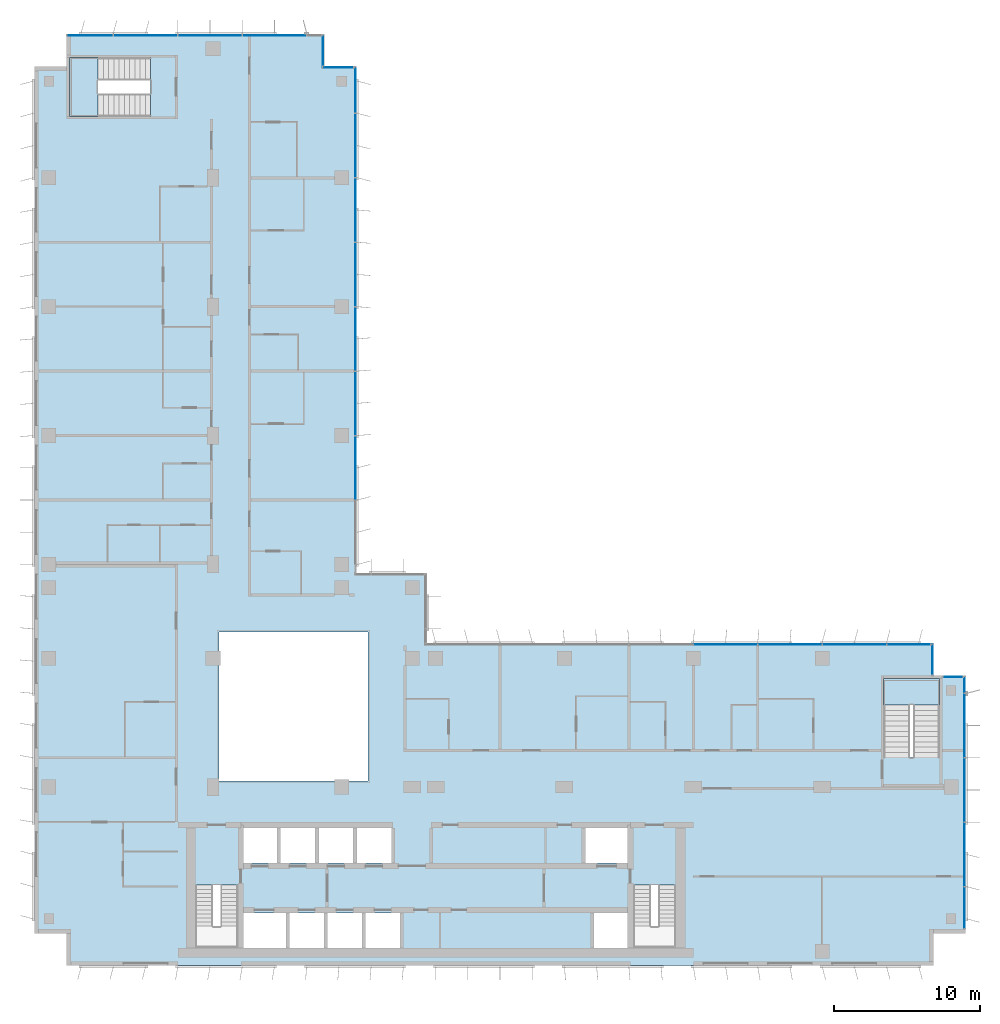
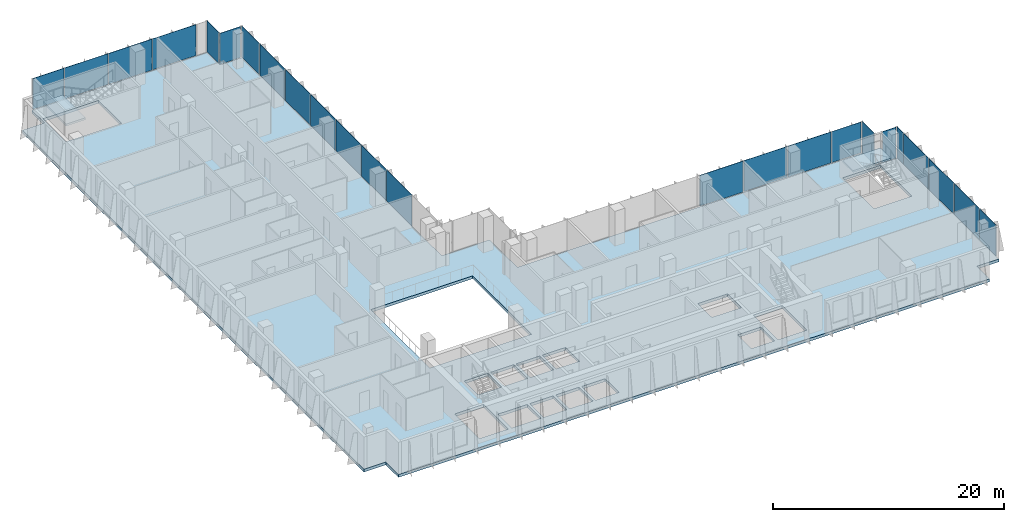
# One storey, part 11 of 21: 24 plates, 3 slabs, 10 elements without a shape of their own.
"""IFC4 building model written with IfcOpenShell, lengths in metres."""

from ifc_helpers import new_model, si_unit, direction, frame, origin, origin_2d, place, context, subcontext, project, spatial, polyline, rectangle, outline, extrude, source, transform, mapped, material, layer, layer_set, type_object, element, aggregate, save


model = new_model("IFC4")

# Units and contexts
model_context = context("Model", 3, precision=1e-05, world=origin(), true_north=direction((0.0, 1.0)))
body_context = subcontext(model_context, "Body", "Model", "MODEL_VIEW")
ifc_project = project(units=[si_unit("LENGTHUNIT", "METRE"), si_unit("AREAUNIT", "SQUARE_METRE"), si_unit("VOLUMEUNIT", "CUBIC_METRE"), si_unit("PLANEANGLEUNIT", "RADIAN"), si_unit("MASSUNIT", "GRAM", prefix="KILO")], contexts=[model_context])

# Site, building, storey
site_placement = place(None, origin())
site = spatial("IfcSite", under=ifc_project, at=site_placement, CompositionType="ELEMENT")
building_placement = place(site_placement, origin())
building = spatial("IfcBuilding", under=site, at=building_placement, Name="Kemantara Hotel Tower", CompositionType="ELEMENT")
storey_placement = place(building_placement, frame((0.0, 0.0, 179.0)))
storey = spatial("IfcBuildingStorey", under=building, at=storey_placement, Name="L44", CompositionType="ELEMENT", Elevation=179.0)

# Slab
ifc_material_1 = material(Name="Concrete fc 40 MPa", Category="concrete")
ifc_layer_1 = layer(ifc_material_1, 0.300048828125)
ifc_layer_set_1 = layer_set([ifc_layer_1], Name="Concrete fc 40 MPa")
slab_type_1 = type_object("IfcSlabType", Name="POST-TENSIONED FLAT PLATE 300", PredefinedType="FLOOR", material=ifc_layer_set_1)
slab_1_placement = place(storey_placement, frame((0.0, 0.0, -0.300048828125)))
element("IfcSlab", 1, at=slab_1_placement, inside=storey, type_object=slab_type_1, Name="FLOOR SLAB L44", PredefinedType="FLOOR", context=body_context, shape_type="SweptSolid", body=[
    extrude(outline(polyline([(22.0, 26.800048828125), (22.0, 61.39990234375), (19.800048828125, 61.39990234375), (19.800048828125, 63.60009765625), (2.199951171875, 63.60009765625), (2.199951171875, 61.39990234375), (0.0, 61.39990234375), (0.0, 2.199951171875), (2.199951171875, 2.199951171875), (2.199951171875, 0.0), (61.39990234375, 0.0), (61.39990234375, 2.199951171875), (63.60009765625, 2.199951171875), (63.60009765625, 19.800048828125), (61.39990234375, 19.800048828125), (61.39990234375, 22.0), (26.800048828125, 22.0), (26.800048828125, 26.800048828125), (22.0, 26.800048828125)]), holes=[polyline([(17.175048828125, 3.60009765625), (17.175048828125, 1.199951171875), (14.22509765625, 1.199951171875), (14.22509765625, 3.60009765625), (17.175048828125, 3.60009765625)]), polyline([(19.77490234375, 1.199951171875), (17.425048828125, 1.199951171875), (17.425048828125, 3.60009765625), (19.77490234375, 3.60009765625), (19.77490234375, 1.199951171875)]), polyline([(11.0, 1.199951171875), (11.0, 5.49951171875), (13.89990234375, 5.49951171875), (13.89990234375, 1.199951171875), (11.0, 1.199951171875)]), polyline([(16.574951171875, 7.0), (14.22509765625, 7.0), (14.22509765625, 9.39990234375), (16.574951171875, 9.39990234375), (16.574951171875, 7.0)]), polyline([(19.175048828125, 7.0), (16.824951171875, 7.0), (16.824951171875, 9.39990234375), (19.175048828125, 9.39990234375), (19.175048828125, 7.0)]), polyline([(21.77490234375, 7.0), (19.425048828125, 7.0), (19.425048828125, 9.39990234375), (21.77490234375, 9.39990234375), (21.77490234375, 7.0)]), polyline([(22.800048828125, 12.60009765625), (12.60009765625, 12.60009765625), (12.60009765625, 22.800048828125), (22.800048828125, 22.800048828125), (22.800048828125, 12.60009765625)]), polyline([(2.39990234375, 62.0), (7.949462890625, 62.0), (7.949462890625, 58.0), (2.39990234375, 58.0), (2.39990234375, 62.0)]), polyline([(22.375, 1.199951171875), (20.02490234375, 1.199951171875), (20.02490234375, 3.60009765625), (22.375, 3.60009765625), (22.375, 1.199951171875)]), polyline([(24.97509765625, 1.199951171875), (22.625, 1.199951171875), (22.625, 3.60009765625), (24.97509765625, 3.60009765625), (24.97509765625, 1.199951171875)]), polyline([(40.574951171875, 1.199951171875), (38.22509765625, 1.199951171875), (38.22509765625, 3.60009765625), (40.574951171875, 3.60009765625), (40.574951171875, 1.199951171875)]), polyline([(40.89990234375, 1.199951171875), (40.89990234375, 5.49951171875), (43.800048828125, 5.49951171875), (43.800048828125, 1.199951171875), (40.89990234375, 1.199951171875)]), polyline([(24.375, 7.0), (22.02490234375, 7.0), (22.02490234375, 9.39990234375), (24.375, 9.39990234375), (24.375, 7.0)]), polyline([(40.574951171875, 7.0), (37.625, 7.0), (37.625, 9.39990234375), (40.574951171875, 9.39990234375), (40.574951171875, 7.0)]), polyline([(61.800048828125, 19.60009765625), (61.800048828125, 14.20068359375), (58.0, 14.20068359375), (58.0, 19.60009765625), (61.800048828125, 19.60009765625)])]), origin(), (0.0, 0.0, 1.0), 0.300048828125),
])

# Stair, slab
stair_type_1 = type_object("IfcStairType", Name="Stair 1800 wide 22 risers of 168 x 360 mm", PredefinedType="HALF_TURN_STAIR", material=ifc_material_1)
stair_1_placement = place(storey_placement, origin())
stair_1 = element("IfcStair", 2, at=stair_1_placement, inside=storey, type_object=stair_type_1, Name="L44 Exit stair ST3", PredefinedType="HALF_TURN_STAIR")
ifc_layer_2 = layer(ifc_material_1, 0.199951171875)
ifc_layer_set_2 = layer_set([ifc_layer_2], Name="Concrete fc 40 MPa")
slab_type_2 = type_object("IfcSlabType", Name="Stair landing 200 mm", PredefinedType="LANDING", material=ifc_layer_set_2)
slab_2_placement = place(storey_placement, frame((0.0, 0.0, 1.64990234375)))
slab_2 = element("IfcSlab", 3, at=slab_2_placement, type_object=slab_type_2, Name="ST3 landing 1", PredefinedType="LANDING", context=body_context, shape_type="SweptSolid", body=[
    extrude(outline(polyline([(61.800048828125, 17.800048828125), (61.800048828125, 19.60009765625), (58.0, 19.60009765625), (58.0, 17.800048828125), (61.800048828125, 17.800048828125)])), origin(), (0.0, 0.0, 1.0), 0.2001953125),
])
aggregate(stair_1, [slab_2])

stair_type_2 = type_object("IfcStairType", Name="Stair 1550 wide 22 risers of 168 x 360 mm", PredefinedType="HALF_TURN_STAIR", material=ifc_material_1)
stair_2_placement = place(storey_placement, origin())
stair_2 = element("IfcStair", 4, at=stair_2_placement, inside=storey, type_object=stair_type_2, Name="L44 Exit stair ST4", PredefinedType="HALF_TURN_STAIR")
slab_3_placement = place(storey_placement, frame((0.0, 0.0, 1.64990234375)))
slab_3 = element("IfcSlab", 5, at=slab_3_placement, type_object=slab_type_2, Name="ST4 landing 1", PredefinedType="LANDING", context=body_context, shape_type="SweptSolid", body=[
    extrude(outline(polyline([(4.35009765625, 62.0), (2.39990234375, 62.0), (2.39990234375, 58.0), (4.35009765625, 58.0), (4.35009765625, 62.0)])), origin(), (0.0, 0.0, 1.0), 0.2001953125),
])
aggregate(stair_2, [slab_3])

# Curtain wall, plate
ifc_material_2 = material(Name="Low-E tinted double insulated glass 36 mm", Category="glass")
curtain_wall_type = type_object("IfcCurtainWallType", Name="TOWER CURTAIN WALL, FRONT FACES", PredefinedType="USERDEFINED", material=ifc_material_2)
curtain_wall_1_placement = place(storey_placement, origin())
curtain_wall_1 = element("IfcCurtainWall", 6, at=curtain_wall_1_placement, inside=storey, type_object=curtain_wall_type, Name="CW4 L44 T3-R11-1", ObjectType="TOWER CURTAIN WALL, FRONT FACES", PredefinedType="USERDEFINED")
ifc_layer_3 = layer(ifc_material_2, 0.035888671875)
ifc_layer_set_3 = layer_set([ifc_layer_3], Name="Low-E tinted double insulated glass 36 mm")
plate_type = type_object("IfcPlateType", Name="TOWER CURTAIN WALL, FRONT FACES PANEL", PredefinedType="CURTAIN_PANEL", material=ifc_layer_set_3)
shared_shape_1 = source(origin(), body_context, "Body", "SweptSolid", [
    extrude(rectangle(XDim=2.81005859375, YDim=0.035888671875, at=origin_2d()), origin(), (0.0, 0.0, 1.0), 3.280029296875),
])
plate_1_placement = place(storey_placement, frame((63.52490234375, 3.965087890625, 0.1201171875), z_axis=(0.0, 0.0, 1.0), x_axis=(0.0, 1.0, 0.0)))
plate_1 = element("IfcPlate", 7, at=plate_1_placement, type_object=plate_type, Name="CW4 glass panel T3-R11-1.1", PredefinedType="CURTAIN_PANEL", context=body_context, shape_type="MappedRepresentation", body=[
    mapped(shared_shape_1, transform((0.0, 0.0, 0.0))),
])

# Curtain wall, plates
curtain_wall_2_placement = place(storey_placement, origin())
curtain_wall_2 = element("IfcCurtainWall", 8, at=curtain_wall_2_placement, inside=storey, type_object=curtain_wall_type, Name="CW4 L44 T3-R02-1", ObjectType="TOWER CURTAIN WALL, FRONT FACES", PredefinedType="USERDEFINED")
shared_shape_2 = source(origin(), body_context, "Body", "SweptSolid", [
    extrude(rectangle(XDim=4.340087890625, YDim=0.035888671875, at=origin_2d()), origin(), (0.0, 0.0, 1.0), 3.280029296875),
])
plate_2_placement = place(storey_placement, frame((16.39990234375, 63.52490234375, 0.1201171875), z_axis=(0.0, 0.0, 1.0), x_axis=(-1.0, 0.0, 0.0)))
plate_2 = element("IfcPlate", 9, at=plate_2_placement, type_object=plate_type, Name="CW4 glass panel T3-R02-1.2", PredefinedType="CURTAIN_PANEL", context=body_context, shape_type="MappedRepresentation", body=[
    mapped(shared_shape_2, transform((0.0, 0.0, 0.0))),
])
plate_3_placement = place(storey_placement, frame((12.0, 63.52490234375, 0.1201171875), z_axis=(0.0, 0.0, 1.0), x_axis=(-1.0, 0.0, 0.0)))
plate_3 = element("IfcPlate", 10, at=plate_3_placement, type_object=plate_type, Name="CW4 glass panel T3-R02-1.3", PredefinedType="CURTAIN_PANEL", context=body_context, shape_type="MappedRepresentation", body=[
    mapped(shared_shape_2, transform((0.0, 0.0, 0.0))),
])
plate_4_placement = place(storey_placement, frame((7.60009765625, 63.52490234375, 0.1201171875), z_axis=(0.0, 0.0, 1.0), x_axis=(-1.0, 0.0, 0.0)))
plate_4 = element("IfcPlate", 11, at=plate_4_placement, type_object=plate_type, Name="CW4 glass panel T3-R02-1.4", PredefinedType="CURTAIN_PANEL", context=body_context, shape_type="MappedRepresentation", body=[
    mapped(shared_shape_2, transform((0.0, 0.0, 0.0))),
])

# Plate
plate_5_placement = place(storey_placement, frame((63.52490234375, 7.60009765625, 0.1201171875), z_axis=(0.0, 0.0, 1.0), x_axis=(0.0, 1.0, 0.0)))
plate_5 = element("IfcPlate", 12, at=plate_5_placement, type_object=plate_type, Name="CW4 glass panel T3-R11-1.2", PredefinedType="CURTAIN_PANEL", context=body_context, shape_type="MappedRepresentation", body=[
    mapped(shared_shape_2, transform((0.0, 0.0, 0.0))),
])

plate_6_placement = place(storey_placement, frame((63.52490234375, 12.0, 0.1201171875), z_axis=(0.0, 0.0, 1.0), x_axis=(0.0, 1.0, 0.0)))
plate_6 = element("IfcPlate", 13, at=plate_6_placement, type_object=plate_type, Name="CW4 glass panel T3-R11-1.3", PredefinedType="CURTAIN_PANEL", context=body_context, shape_type="MappedRepresentation", body=[
    mapped(shared_shape_2, transform((0.0, 0.0, 0.0))),
])

plate_7_placement = place(storey_placement, frame((63.52490234375, 16.39990234375, 0.1201171875), z_axis=(0.0, 0.0, 1.0), x_axis=(0.0, 1.0, 0.0)))
plate_7 = element("IfcPlate", 14, at=plate_7_placement, type_object=plate_type, Name="CW4 glass panel T3-R11-1.4", PredefinedType="CURTAIN_PANEL", context=body_context, shape_type="MappedRepresentation", body=[
    mapped(shared_shape_2, transform((0.0, 0.0, 0.0))),
])

# Curtain wall, plates
curtain_wall_3_placement = place(storey_placement, origin())
curtain_wall_3 = element("IfcCurtainWall", 15, at=curtain_wall_3_placement, inside=storey, type_object=curtain_wall_type, Name="CW4 L44 T3-R14-1", ObjectType="TOWER CURTAIN WALL, FRONT FACES", PredefinedType="USERDEFINED")
plate_8_placement = place(storey_placement, frame((56.0, 21.925048828125, 0.1201171875), z_axis=(0.0, 0.0, 1.0), x_axis=(-1.0, 0.0, 0.0)))
plate_8 = element("IfcPlate", 16, at=plate_8_placement, type_object=plate_type, Name="CW4 glass panel T3-R14-1.2", PredefinedType="CURTAIN_PANEL", context=body_context, shape_type="MappedRepresentation", body=[
    mapped(shared_shape_2, transform((0.0, 0.0, 0.0))),
])
plate_9_placement = place(storey_placement, frame((51.60009765625, 21.925048828125, 0.1201171875), z_axis=(0.0, 0.0, 1.0), x_axis=(-1.0, 0.0, 0.0)))
plate_9 = element("IfcPlate", 17, at=plate_9_placement, type_object=plate_type, Name="CW4 glass panel T3-R14-1.3", PredefinedType="CURTAIN_PANEL", context=body_context, shape_type="MappedRepresentation", body=[
    mapped(shared_shape_2, transform((0.0, 0.0, 0.0))),
])
plate_10_placement = place(storey_placement, frame((47.199951171875, 21.925048828125, 0.1201171875), z_axis=(0.0, 0.0, 1.0), x_axis=(-1.0, 0.0, 0.0)))
plate_10 = element("IfcPlate", 18, at=plate_10_placement, type_object=plate_type, Name="CW4 glass panel T3-R14-1.4", PredefinedType="CURTAIN_PANEL", context=body_context, shape_type="MappedRepresentation", body=[
    mapped(shared_shape_2, transform((0.0, 0.0, 0.0))),
])

curtain_wall_4_placement = place(storey_placement, origin())
curtain_wall_4 = element("IfcCurtainWall", 19, at=curtain_wall_4_placement, inside=storey, type_object=curtain_wall_type, Name="CW4 L44 T3-R17-1", ObjectType="TOWER CURTAIN WALL, FRONT FACES", PredefinedType="USERDEFINED")
plate_11_placement = place(storey_placement, frame((21.925048828125, 34.0, 0.1201171875), z_axis=(0.0, 0.0, 1.0), x_axis=(0.0, 1.0, 0.0)))
plate_11 = element("IfcPlate", 20, at=plate_11_placement, type_object=plate_type, Name="CW4 glass panel T3-R17-1.3", PredefinedType="CURTAIN_PANEL", context=body_context, shape_type="MappedRepresentation", body=[
    mapped(shared_shape_2, transform((0.0, 0.0, 0.0))),
])
plate_12_placement = place(storey_placement, frame((21.925048828125, 38.39990234375, 0.1201171875), z_axis=(0.0, 0.0, 1.0), x_axis=(0.0, 1.0, 0.0)))
plate_12 = element("IfcPlate", 21, at=plate_12_placement, type_object=plate_type, Name="CW4 glass panel T3-R17-1.4", PredefinedType="CURTAIN_PANEL", context=body_context, shape_type="MappedRepresentation", body=[
    mapped(shared_shape_2, transform((0.0, 0.0, 0.0))),
])
plate_13_placement = place(storey_placement, frame((21.925048828125, 42.800048828125, 0.1201171875), z_axis=(0.0, 0.0, 1.0), x_axis=(0.0, 1.0, 0.0)))
plate_13 = element("IfcPlate", 22, at=plate_13_placement, type_object=plate_type, Name="CW4 glass panel T3-R17-1.5", PredefinedType="CURTAIN_PANEL", context=body_context, shape_type="MappedRepresentation", body=[
    mapped(shared_shape_2, transform((0.0, 0.0, 0.0))),
])
plate_14_placement = place(storey_placement, frame((21.925048828125, 47.199951171875, 0.1201171875), z_axis=(0.0, 0.0, 1.0), x_axis=(0.0, 1.0, 0.0)))
plate_14 = element("IfcPlate", 23, at=plate_14_placement, type_object=plate_type, Name="CW4 glass panel T3-R17-1.6", PredefinedType="CURTAIN_PANEL", context=body_context, shape_type="MappedRepresentation", body=[
    mapped(shared_shape_2, transform((0.0, 0.0, 0.0))),
])
plate_15_placement = place(storey_placement, frame((21.925048828125, 51.60009765625, 0.1201171875), z_axis=(0.0, 0.0, 1.0), x_axis=(0.0, 1.0, 0.0)))
plate_15 = element("IfcPlate", 24, at=plate_15_placement, type_object=plate_type, Name="CW4 glass panel T3-R17-1.7", PredefinedType="CURTAIN_PANEL", context=body_context, shape_type="MappedRepresentation", body=[
    mapped(shared_shape_2, transform((0.0, 0.0, 0.0))),
])
plate_16_placement = place(storey_placement, frame((21.925048828125, 56.0, 0.1201171875), z_axis=(0.0, 0.0, 1.0), x_axis=(0.0, 1.0, 0.0)))
plate_16 = element("IfcPlate", 25, at=plate_16_placement, type_object=plate_type, Name="CW4 glass panel T3-R17-1.8", PredefinedType="CURTAIN_PANEL", context=body_context, shape_type="MappedRepresentation", body=[
    mapped(shared_shape_2, transform((0.0, 0.0, 0.0))),
])

# Plate
shared_shape_3 = source(origin(), body_context, "Body", "SweptSolid", [
    extrude(rectangle(XDim=3.110107421875, YDim=0.035888671875, at=origin_2d()), origin(), (0.0, 0.0, 1.0), 3.280029296875),
])
plate_17_placement = place(storey_placement, frame((3.81494140625, 63.52490234375, 0.1201171875), z_axis=(0.0, 0.0, 1.0), x_axis=(-1.0, 0.0, 0.0)))
plate_17 = element("IfcPlate", 26, at=plate_17_placement, type_object=plate_type, Name="CW4 glass panel T3-R02-1.5", PredefinedType="CURTAIN_PANEL", context=body_context, shape_type="MappedRepresentation", body=[
    mapped(shared_shape_3, transform((0.0, 0.0, 0.0))),
])

aggregate(curtain_wall_2, [plate_2, plate_3, plate_4, plate_17])

plate_18_placement = place(storey_placement, frame((21.925048828125, 59.784912109375, 0.1201171875), z_axis=(0.0, 0.0, 1.0), x_axis=(0.0, 1.0, 0.0)))
plate_18 = element("IfcPlate", 27, at=plate_18_placement, type_object=plate_type, Name="CW4 glass panel T3-R17-1.9", PredefinedType="CURTAIN_PANEL", context=body_context, shape_type="MappedRepresentation", body=[
    mapped(shared_shape_3, transform((0.0, 0.0, 0.0))),
])

aggregate(curtain_wall_4, [plate_11, plate_12, plate_13, plate_14, plate_15, plate_16, plate_18])

# Curtain wall, plate
curtain_wall_5_placement = place(storey_placement, origin())
curtain_wall_5 = element("IfcCurtainWall", 28, at=curtain_wall_5_placement, inside=storey, type_object=curtain_wall_type, Name="CW4 L44 T3-R00-1", ObjectType="TOWER CURTAIN WALL, FRONT FACES", PredefinedType="USERDEFINED")
shared_shape_4 = source(origin(), body_context, "Body", "SweptSolid", [
    extrude(rectangle(XDim=2.080078125, YDim=0.035888671875, at=origin_2d()), origin(), (0.0, 0.0, 1.0), 3.280029296875),
])
plate_19_placement = place(storey_placement, frame((20.75, 61.324951171875, 0.1201171875), z_axis=(0.0, 0.0, 1.0), x_axis=(-1.0, 0.0, 0.0)))
plate_19 = element("IfcPlate", 29, at=plate_19_placement, type_object=plate_type, Name="CW4 glass panel T3-R00-1.1", PredefinedType="CURTAIN_PANEL", context=body_context, shape_type="MappedRepresentation", body=[
    mapped(shared_shape_4, transform((0.0, 0.0, 0.0))),
])
aggregate(curtain_wall_5, [plate_19])

curtain_wall_6_placement = place(storey_placement, origin())
curtain_wall_6 = element("IfcCurtainWall", 30, at=curtain_wall_6_placement, inside=storey, type_object=curtain_wall_type, Name="CW4 L44 T3-R01-1", ObjectType="TOWER CURTAIN WALL, FRONT FACES", PredefinedType="USERDEFINED")
plate_20_placement = place(storey_placement, frame((19.72509765625, 62.5, 0.1201171875), z_axis=(0.0, 0.0, 1.0), x_axis=(0.0, 1.0, 0.0)))
plate_20 = element("IfcPlate", 31, at=plate_20_placement, type_object=plate_type, Name="CW4 glass panel T3-R01-1.1", PredefinedType="CURTAIN_PANEL", context=body_context, shape_type="MappedRepresentation", body=[
    mapped(shared_shape_4, transform((0.0, 0.0, 0.0))),
])
aggregate(curtain_wall_6, [plate_20])

curtain_wall_7_placement = place(storey_placement, origin())
curtain_wall_7 = element("IfcCurtainWall", 32, at=curtain_wall_7_placement, inside=storey, type_object=curtain_wall_type, Name="CW4 L44 T3-R13-1", ObjectType="TOWER CURTAIN WALL, FRONT FACES", PredefinedType="USERDEFINED")
plate_21_placement = place(storey_placement, frame((61.324951171875, 20.89990234375, 0.1201171875), z_axis=(0.0, 0.0, 1.0), x_axis=(0.0, 1.0, 0.0)))
plate_21 = element("IfcPlate", 33, at=plate_21_placement, type_object=plate_type, Name="CW4 glass panel T3-R13-1.1", PredefinedType="CURTAIN_PANEL", context=body_context, shape_type="MappedRepresentation", body=[
    mapped(shared_shape_4, transform((0.0, 0.0, 0.0))),
])
aggregate(curtain_wall_7, [plate_21])

# Plate
shared_shape_5 = source(origin(), body_context, "Body", "SweptSolid", [
    extrude(rectangle(XDim=2.9599609375, YDim=0.035888671875, at=origin_2d()), origin(), (0.0, 0.0, 1.0), 3.280029296875),
])
plate_22_placement = place(storey_placement, frame((59.7099609375, 21.925048828125, 0.1201171875), z_axis=(0.0, 0.0, 1.0), x_axis=(-1.0, 0.0, 0.0)))
plate_22 = element("IfcPlate", 34, at=plate_22_placement, type_object=plate_type, Name="CW4 glass panel T3-R14-1.1", PredefinedType="CURTAIN_PANEL", context=body_context, shape_type="MappedRepresentation", body=[
    mapped(shared_shape_5, transform((0.0, 0.0, 0.0))),
])

aggregate(curtain_wall_3, [plate_22, plate_8, plate_9, plate_10])

shared_shape_6 = source(origin(), body_context, "Body", "SweptSolid", [
    extrude(rectangle(XDim=1.110107421875, YDim=0.035888671875, at=origin_2d()), origin(), (0.0, 0.0, 1.0), 3.280029296875),
])
plate_23_placement = place(storey_placement, frame((63.52490234375, 19.18505859375, 0.1201171875), z_axis=(0.0, 0.0, 1.0), x_axis=(0.0, 1.0, 0.0)))
plate_23 = element("IfcPlate", 35, at=plate_23_placement, type_object=plate_type, Name="CW4 glass panel T3-R11-1.5", PredefinedType="CURTAIN_PANEL", context=body_context, shape_type="MappedRepresentation", body=[
    mapped(shared_shape_6, transform((0.0, 0.0, 0.0))),
])

aggregate(curtain_wall_1, [plate_1, plate_5, plate_6, plate_7, plate_23])

# Curtain wall, plate
curtain_wall_8_placement = place(storey_placement, origin())
curtain_wall_8 = element("IfcCurtainWall", 36, at=curtain_wall_8_placement, inside=storey, type_object=curtain_wall_type, Name="CW4 L44 T3-R12-1", ObjectType="TOWER CURTAIN WALL, FRONT FACES", PredefinedType="USERDEFINED")
shared_shape_7 = source(origin(), body_context, "Body", "SweptSolid", [
    extrude(rectangle(XDim=1.330078125, YDim=0.035888671875, at=origin_2d()), origin(), (0.0, 0.0, 1.0), 3.280029296875),
])
plate_24_placement = place(storey_placement, frame((62.72509765625, 19.72509765625, 0.1201171875), z_axis=(0.0, 0.0, 1.0), x_axis=(-1.0, 0.0, 0.0)))
plate_24 = element("IfcPlate", 37, at=plate_24_placement, type_object=plate_type, Name="CW4 glass panel T3-R12-1.1", PredefinedType="CURTAIN_PANEL", context=body_context, shape_type="MappedRepresentation", body=[
    mapped(shared_shape_7, transform((0.0, 0.0, 0.0))),
])
aggregate(curtain_wall_8, [plate_24])

save(model, "model.ifc")
